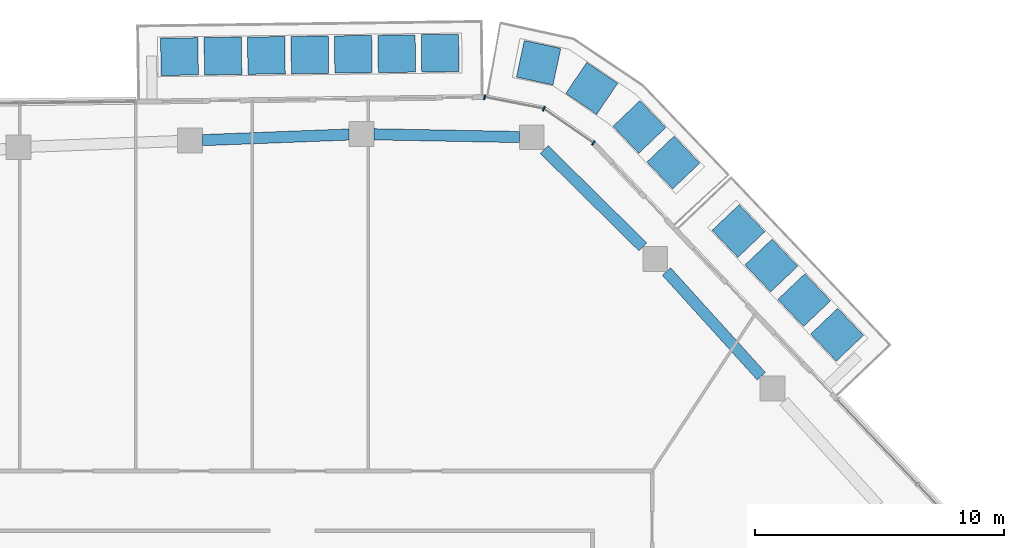
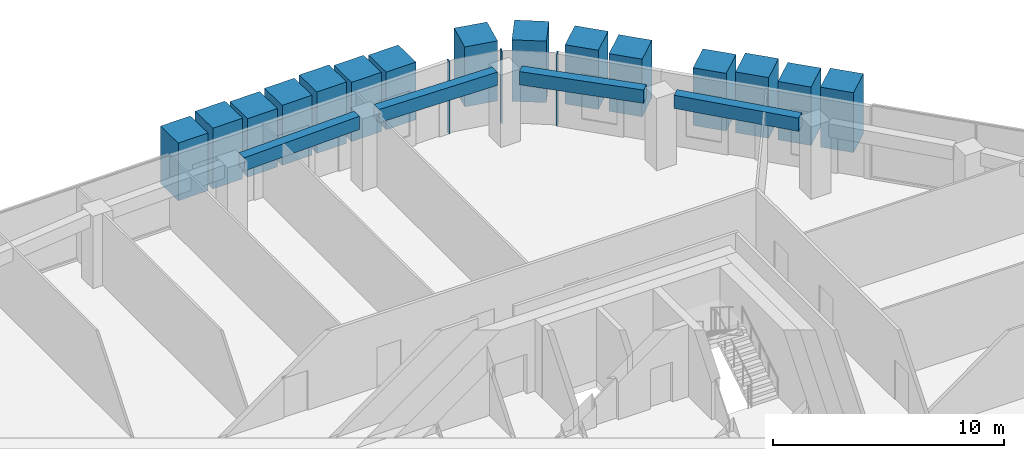
# One storey, part 9 of 23: 18 members, 4 beams, 1 element without a shape of its own.
"""IFC4 building model written with IfcOpenShell, lengths in metres."""

from ifc_helpers import new_model, si_unit, direction, frame, origin, origin_2d, place, context, subcontext, project, spatial, rectangle, extrude, material, layer, layer_set, material_profile, profile_set, type_object, element, aggregate, save


model = new_model("IFC4")

# Units and contexts
model_context = context("Model", 3, precision=1e-05, world=origin(), true_north=direction((0.0, 1.0)))
body_context = subcontext(model_context, "Body", "Model", "MODEL_VIEW")
ifc_project = project(units=[si_unit("LENGTHUNIT", "METRE"), si_unit("AREAUNIT", "SQUARE_METRE"), si_unit("VOLUMEUNIT", "CUBIC_METRE"), si_unit("PLANEANGLEUNIT", "RADIAN"), si_unit("MASSUNIT", "GRAM", prefix="KILO")], contexts=[model_context])

# Site, building, storey
site_placement = place(None, origin())
site = spatial("IfcSite", under=ifc_project, at=site_placement, CompositionType="ELEMENT")
building_placement = place(site_placement, origin())
building = spatial("IfcBuilding", under=site, at=building_placement, Name="Dongbaek Canopy Tower", CompositionType="ELEMENT")
storey_placement = place(building_placement, frame((0.0, 0.0, 336.199951171875)))
storey = spatial("IfcBuildingStorey", under=building, at=storey_placement, Name="L72", CompositionType="ELEMENT", Elevation=336.199951171875)

# Curtain wall, members
ifc_material_1 = material(Name="Aluminium 6063-T6 pale anodised", Category="aluminium")
ifc_layer = layer(ifc_material_1, 0.199951171875)
ifc_layer_set = layer_set([ifc_layer], Name="CW-1 unitised tower curtain wall")
curtain_wall_type = type_object("IfcCurtainWallType", Name="CW-1 unitised tower curtain wall", PredefinedType="NOTDEFINED", material=ifc_layer_set)
curtain_wall_placement = place(storey_placement, origin())
curtain_wall = element("IfcCurtainWall", 1, at=curtain_wall_placement, inside=storey, type_object=curtain_wall_type, Name="CW-1 curtain wall K1.1", PredefinedType="NOTDEFINED")
ifc_material_2 = material(Name="Aluminium 6063-T6 pale anodised", Category="aluminium")
ifc_material_profile_1 = material_profile(ifc_material_2, rectangle(XDim=0.199951171875, YDim=0.06005859375, at=origin_2d()), Name="CW-1 mullion 60 x 200")
ifc_profile_set_1 = profile_set([ifc_material_profile_1], Name="Aluminium 6063-T6 pale anodised")
member_type_1 = type_object("IfcMemberType", Name="CW-1 mullion 60 x 200", PredefinedType="MULLION", material=ifc_profile_set_1)
member_1_placement = place(storey_placement, frame((14.791259765625, 27.33349609375, 0.0), z_axis=(0.0, 0.0, 1.0), x_axis=(0.568695173669, 0.822548356904, 0.0)))
member_1 = element("IfcMember", 2, at=member_1_placement, type_object=member_type_1, Name="CW-1 mullion K1.1.1", PredefinedType="MULLION", context=body_context, shape_type="SweptSolid", body=[
    extrude(rectangle(XDim=0.199951171875, YDim=0.06005859375, at=origin_2d()), origin(), (0.0, 0.0, 1.0), 3.820068359375),
])
member_2_placement = place(storey_placement, frame((12.797607421875, 28.7119140625, 0.0), z_axis=(0.0, 0.0, 1.0), x_axis=(0.388396224954, 0.921492470095, 0.0)))
member_2 = element("IfcMember", 3, at=member_2_placement, type_object=member_type_1, Name="CW-1 mullion K1.1.2", PredefinedType="MULLION", context=body_context, shape_type="SweptSolid", body=[
    extrude(rectangle(XDim=0.199951171875, YDim=0.06005859375, at=origin_2d()), origin(), (0.0, 0.0, 1.0), 3.820068359375),
])
member_3_placement = place(storey_placement, frame((10.4189453125, 29.176513671875, 0.0), z_axis=(0.0, 0.0, 1.0), x_axis=(0.191669029259, 0.981459618743, 0.0)))
member_3 = element("IfcMember", 4, at=member_3_placement, type_object=member_type_1, Name="CW-1 mullion K1.1.3", PredefinedType="MULLION", context=body_context, shape_type="SweptSolid", body=[
    extrude(rectangle(XDim=0.199951171875, YDim=0.06005859375, at=origin_2d()), origin(), (0.0, 0.0, 1.0), 3.820068359375),
])
aggregate(curtain_wall, [member_1, member_2, member_3])

# Beams
ifc_material_3 = material(Name="Concrete C60", Category="concrete")
ifc_material_profile_2 = material_profile(ifc_material_3, rectangle(XDim=0.449951171875, YDim=0.699951171875, at=origin_2d()), Name="RC EDGE BEAM 450x700 C60")
ifc_profile_set_2 = profile_set([ifc_material_profile_2], Name="Concrete C60")
beam_type = type_object("IfcBeamType", Name="RC EDGE BEAM 450x700 C60", PredefinedType="BEAM", material=ifc_profile_set_2)
beam_1_placement = place(storey_placement, frame((-0.91796875, 27.447265625, 3.469970703125), z_axis=(0.999267098379, 0.038278794366, 0.0), x_axis=(-0.038278794366, 0.999267098379, 0.0)))
element("IfcBeam", 5, at=beam_1_placement, inside=storey, type_object=beam_type, Name="EDGEBEAM:L72:15", PredefinedType="BEAM", context=body_context, shape_type="SweptSolid", body=[
    extrude(rectangle(XDim=0.449951171875, YDim=0.699951171875, at=origin_2d()), origin(), (0.0, 0.0, 1.0), 5.893310546875),
])
beam_2_placement = place(storey_placement, frame((5.970947265625, 27.6826171875, 3.469970703125), z_axis=(0.99982249395, -0.018840928625, 0.0), x_axis=(0.018840928625, 0.99982249395, 0.0)))
element("IfcBeam", 6, at=beam_2_placement, inside=storey, type_object=beam_type, Name="EDGEBEAM:L72:16", PredefinedType="BEAM", context=body_context, shape_type="SweptSolid", body=[
    extrude(rectangle(XDim=0.449951171875, YDim=0.699951171875, at=origin_2d()), origin(), (0.0, 0.0, 1.0), 5.843994140625),
])
beam_3_placement = place(storey_placement, frame((12.81396484375, 27.069580078125, 3.469970703125), z_axis=(0.711740530271, -0.702442465665, 0.0), x_axis=(0.702442465665, 0.711740530271, 0.0)))
element("IfcBeam", 7, at=beam_3_placement, inside=storey, type_object=beam_type, Name="EDGEBEAM:L72:17", PredefinedType="BEAM", context=body_context, shape_type="SweptSolid", body=[
    extrude(rectangle(XDim=0.449951171875, YDim=0.699951171875, at=origin_2d()), origin(), (0.0, 0.0, 1.0), 5.56640625),
])
beam_4_placement = place(storey_placement, frame((17.72900390625, 22.166015625, 3.469970703125), z_axis=(0.67133921348, -0.741150227986, 0.0), x_axis=(0.741150227986, 0.67133921348, 0.0)))
element("IfcBeam", 8, at=beam_4_placement, inside=storey, type_object=beam_type, Name="EDGEBEAM:L72:18", PredefinedType="BEAM", context=body_context, shape_type="SweptSolid", body=[
    extrude(rectangle(XDim=0.449951171875, YDim=0.699951171875, at=origin_2d()), origin(), (0.0, 0.0, 1.0), 5.67236328125),
])

# Members
ifc_material_4 = material(Name="Concrete C40/50 planter mass with planting", Category="concrete")
ifc_material_profile_3 = material_profile(ifc_material_4, rectangle(XDim=1.5, YDim=1.5, at=origin_2d()), Name="Terrace PLANTER shrub mass 1500 x 1500")
ifc_profile_set_3 = profile_set([ifc_material_profile_3], Name="Concrete C40/50 planter mass with planting")
member_type_2 = type_object("IfcMemberType", Name="Terrace PLANTER shrub mass 1500 x 1500", PredefinedType="USERDEFINED", material=ifc_profile_set_3)
member_4_placement = place(storey_placement, frame((24.581298828125, 19.628662109375, 0.420166015625), z_axis=(0.0, 0.0, 1.0), x_axis=(0.724939653857, 0.688812382486, 0.0)))
element("IfcMember", 9, at=member_4_placement, inside=storey, type_object=member_type_2, Name="Planter shrubs L72 1.1", ObjectType="PLANTER", PredefinedType="USERDEFINED", context=body_context, shape_type="SweptSolid", body=[
    extrude(rectangle(XDim=1.5, YDim=1.5, at=origin_2d()), origin(), (0.0, 0.0, 1.0), 3.169921875),
])
member_5_placement = place(storey_placement, frame((23.261474609375, 21.017822265625, 0.420166015625), z_axis=(0.0, 0.0, 1.0), x_axis=(0.724939653857, 0.688812382486, 0.0)))
element("IfcMember", 10, at=member_5_placement, inside=storey, type_object=member_type_2, Name="Planter shrubs L72 1.2", ObjectType="PLANTER", PredefinedType="USERDEFINED", context=body_context, shape_type="SweptSolid", body=[
    extrude(rectangle(XDim=1.5, YDim=1.5, at=origin_2d()), origin(), (0.0, 0.0, 1.0), 3.08984375),
])
member_6_placement = place(storey_placement, frame((21.94140625, 22.406982421875, 0.420166015625), z_axis=(0.0, 0.0, 1.0), x_axis=(0.724939653857, 0.688812382486, 0.0)))
element("IfcMember", 11, at=member_6_placement, inside=storey, type_object=member_type_2, Name="Planter shrubs L72 1.3", ObjectType="PLANTER", PredefinedType="USERDEFINED", context=body_context, shape_type="SweptSolid", body=[
    extrude(rectangle(XDim=1.5, YDim=1.5, at=origin_2d()), origin(), (0.0, 0.0, 1.0), 3.2099609375),
])
for number, where, z_axis, x_axis, name in (
    (12, (20.621337890625, 23.796142578125, 0.420166015625), (0.0, 0.0, 1.0), (0.724939653857, 0.688812382486, 0.0), "Planter shrubs L72 1.4"),
    (13, (18.004150390625, 26.54736328125, 0.420166015625), (0.0, 0.0, 1.0), (0.723377989855, 0.690452231363, 0.0), "Planter shrubs L72 6.1"),
):
    element("IfcMember", number, at=place(storey_placement, frame(where, z_axis=z_axis, x_axis=x_axis)), inside=storey, type_object=member_type_2, Name=name, ObjectType="PLANTER", PredefinedType="USERDEFINED", context=body_context, shape_type="SweptSolid", body=[
        extrude(rectangle(XDim=1.5, YDim=1.5, at=origin_2d()), origin(), (0.0, 0.0, 1.0), 3.0498046875),
    ])
member_7_placement = place(storey_placement, frame((16.638427734375, 27.978515625, 0.420166015625), z_axis=(0.0, 0.0, 1.0), x_axis=(0.723377989855, 0.690452231363, 0.0)))
element("IfcMember", 14, at=member_7_placement, inside=storey, type_object=member_type_2, Name="Planter shrubs L72 6.2", ObjectType="PLANTER", PredefinedType="USERDEFINED", context=body_context, shape_type="SweptSolid", body=[
    extrude(rectangle(XDim=1.5, YDim=1.5, at=origin_2d()), origin(), (0.0, 0.0, 1.0), 3.1298828125),
])
member_8_placement = place(storey_placement, frame((14.724609375, 29.528564453125, 0.420166015625), z_axis=(0.0, 0.0, 1.0), x_axis=(0.561265947653, 0.82763550915, 0.0)))
element("IfcMember", 15, at=member_8_placement, inside=storey, type_object=member_type_2, Name="Planter shrubs L72 6.3", ObjectType="PLANTER", PredefinedType="USERDEFINED", context=body_context, shape_type="SweptSolid", body=[
    extrude(rectangle(XDim=1.5, YDim=1.5, at=origin_2d()), origin(), (0.0, 0.0, 1.0), 3.25),
])
member_9_placement = place(storey_placement, frame((12.5888671875, 30.558349609375, 0.420166015625), z_axis=(0.0, 0.0, 1.0), x_axis=(0.210585017012, 0.977575547265, 0.0)))
element("IfcMember", 16, at=member_9_placement, inside=storey, type_object=member_type_2, Name="Planter shrubs L72 6.4", ObjectType="PLANTER", PredefinedType="USERDEFINED", context=body_context, shape_type="SweptSolid", body=[
    extrude(rectangle(XDim=1.5, YDim=1.5, at=origin_2d()), origin(), (0.0, 0.0, 1.0), 3.169921875),
])
member_10_placement = place(storey_placement, frame((8.632568359375, 30.943115234375, 0.420166015625), z_axis=(0.0, 0.0, 1.0), x_axis=(-0.013165315653, 0.999913333476, 0.0)))
element("IfcMember", 17, at=member_10_placement, inside=storey, type_object=member_type_2, Name="Planter shrubs L72 2.1", ObjectType="PLANTER", PredefinedType="USERDEFINED", context=body_context, shape_type="SweptSolid", body=[
    extrude(rectangle(XDim=1.5, YDim=1.5, at=origin_2d()), origin(), (0.0, 0.0, 1.0), 3.0498046875),
])
member_11_placement = place(storey_placement, frame((6.886474609375, 30.920166015625, 0.420166015625), z_axis=(0.0, 0.0, 1.0), x_axis=(-0.013165315653, 0.999913333476, 0.0)))
element("IfcMember", 18, at=member_11_placement, inside=storey, type_object=member_type_2, Name="Planter shrubs L72 2.2", ObjectType="PLANTER", PredefinedType="USERDEFINED", context=body_context, shape_type="SweptSolid", body=[
    extrude(rectangle(XDim=1.5, YDim=1.5, at=origin_2d()), origin(), (0.0, 0.0, 1.0), 3.1298828125),
])
member_12_placement = place(storey_placement, frame((5.140380859375, 30.897216796875, 0.420166015625), z_axis=(0.0, 0.0, 1.0), x_axis=(-0.013165315653, 0.999913333476, 0.0)))
element("IfcMember", 19, at=member_12_placement, inside=storey, type_object=member_type_2, Name="Planter shrubs L72 2.3", ObjectType="PLANTER", PredefinedType="USERDEFINED", context=body_context, shape_type="SweptSolid", body=[
    extrude(rectangle(XDim=1.5, YDim=1.5, at=origin_2d()), origin(), (0.0, 0.0, 1.0), 3.25),
])
member_13_placement = place(storey_placement, frame((3.394287109375, 30.8740234375, 0.420166015625), z_axis=(0.0, 0.0, 1.0), x_axis=(-0.013165315653, 0.999913333476, 0.0)))
element("IfcMember", 20, at=member_13_placement, inside=storey, type_object=member_type_2, Name="Planter shrubs L72 2.4", ObjectType="PLANTER", PredefinedType="USERDEFINED", context=body_context, shape_type="SweptSolid", body=[
    extrude(rectangle(XDim=1.5, YDim=1.5, at=origin_2d()), origin(), (0.0, 0.0, 1.0), 3.169921875),
])
member_14_placement = place(storey_placement, frame((1.648193359375, 30.85107421875, 0.420166015625), z_axis=(0.0, 0.0, 1.0), x_axis=(-0.013165315653, 0.999913333476, 0.0)))
element("IfcMember", 21, at=member_14_placement, inside=storey, type_object=member_type_2, Name="Planter shrubs L72 2.5", ObjectType="PLANTER", PredefinedType="USERDEFINED", context=body_context, shape_type="SweptSolid", body=[
    extrude(rectangle(XDim=1.5, YDim=1.5, at=origin_2d()), origin(), (0.0, 0.0, 1.0), 3.08984375),
])
member_15_placement = place(storey_placement, frame((-0.097900390625, 30.828125, 0.420166015625), z_axis=(0.0, 0.0, 1.0), x_axis=(-0.013165315653, 0.999913333476, 0.0)))
element("IfcMember", 22, at=member_15_placement, inside=storey, type_object=member_type_2, Name="Planter shrubs L72 2.6", ObjectType="PLANTER", PredefinedType="USERDEFINED", context=body_context, shape_type="SweptSolid", body=[
    extrude(rectangle(XDim=1.5, YDim=1.5, at=origin_2d()), origin(), (0.0, 0.0, 1.0), 3.2099609375),
])
member_16_placement = place(storey_placement, frame((-1.843994140625, 30.80517578125, 0.420166015625), z_axis=(0.0, 0.0, 1.0), x_axis=(-0.013165315653, 0.999913333476, 0.0)))
element("IfcMember", 23, at=member_16_placement, inside=storey, type_object=member_type_2, Name="Planter shrubs L72 2.7", ObjectType="PLANTER", PredefinedType="USERDEFINED", context=body_context, shape_type="SweptSolid", body=[
    extrude(rectangle(XDim=1.5, YDim=1.5, at=origin_2d()), origin(), (0.0, 0.0, 1.0), 3.0498046875),
])

save(model, "model.ifc")
